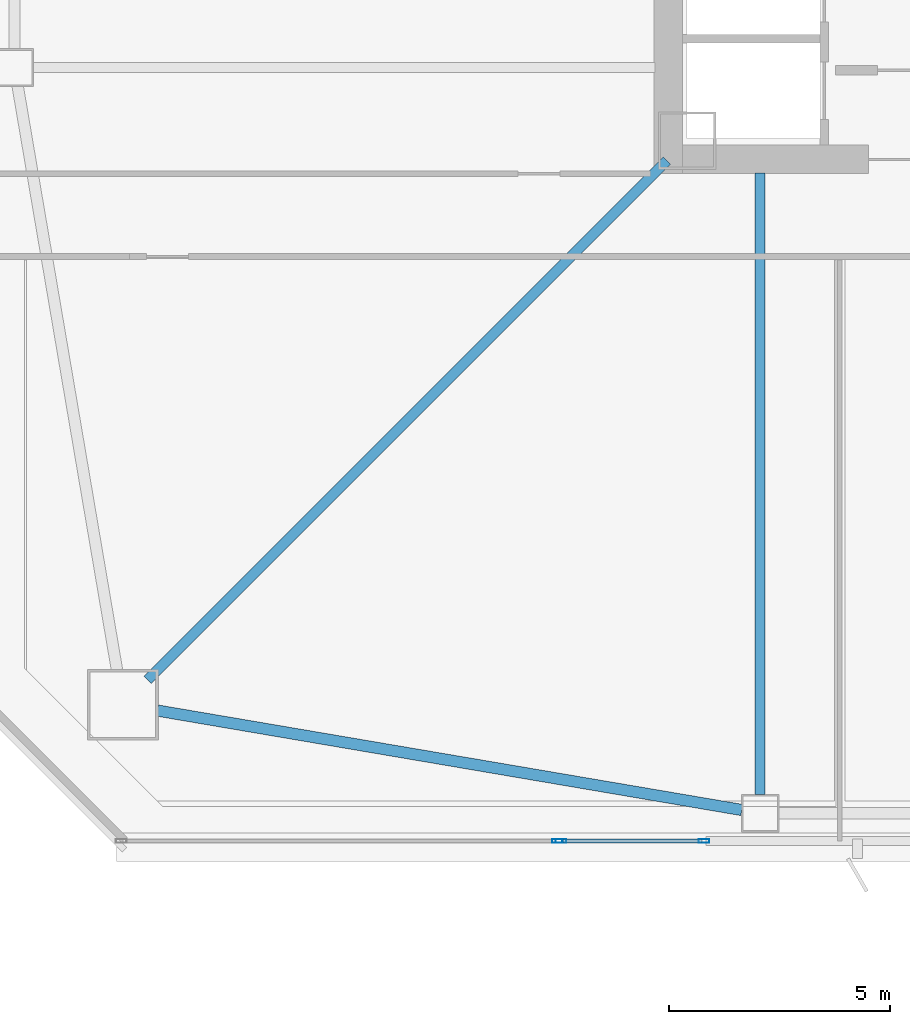
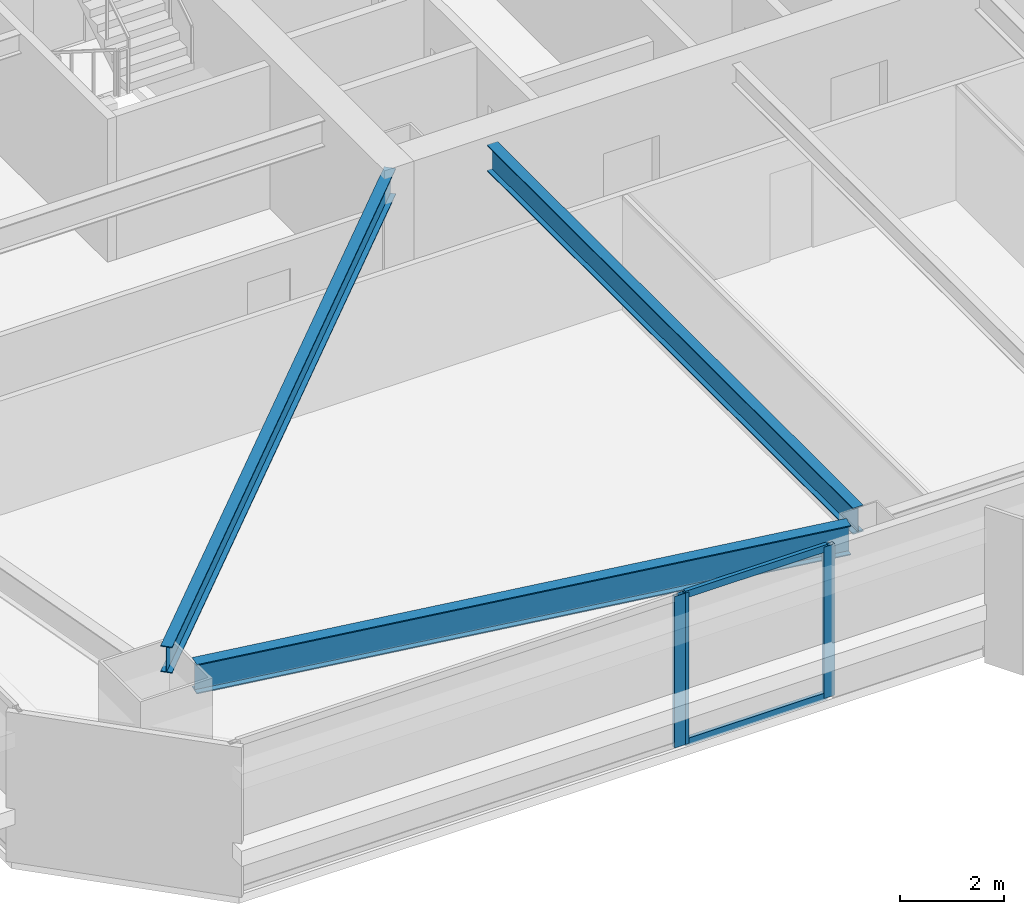
# One storey, part 4 of 62: 5 members, 3 beams, 2 elements without a shape of their own.
"""IFC4 building model written with IfcOpenShell, lengths in metres."""

from ifc_helpers import new_model, si_unit, direction, frame, origin, origin_2d, place, context, subcontext, project, spatial, hollow_rectangle, i_section, extrude, material, material_profile, profile_set, type_object, element, aggregate, save


model = new_model("IFC4")

# Units and contexts
model_context = context("Model", 3, precision=1e-05, world=origin(), true_north=direction((0.0, 1.0)))
body_context = subcontext(model_context, "Body", "Model", "MODEL_VIEW")
ifc_project = project(units=[si_unit("LENGTHUNIT", "METRE"), si_unit("AREAUNIT", "SQUARE_METRE"), si_unit("VOLUMEUNIT", "CUBIC_METRE"), si_unit("PLANEANGLEUNIT", "RADIAN"), si_unit("MASSUNIT", "GRAM", prefix="KILO")], contexts=[model_context])

# Site, building, storey
site_placement = place(None, origin())
site = spatial("IfcSite", under=ifc_project, at=site_placement, CompositionType="ELEMENT")
building_placement = place(site_placement, origin())
building = spatial("IfcBuilding", under=site, at=building_placement, Name="Tashvorn Skyway Center", CompositionType="ELEMENT")
storey_placement = place(building_placement, frame((0.0, 0.0, 28.14990234375)))
storey = spatial("IfcBuildingStorey", under=building, at=storey_placement, Name="L06", CompositionType="ELEMENT", Elevation=28.14990234375)

# Beams
ifc_material_1 = material(Name="Steel ASTM A992 Grade 50", Category="steel")
ifc_material_profile_1 = material_profile(ifc_material_1, i_section(OverallWidth=0.22998046875, OverallDepth=0.616943359375, WebThickness=0.01318359375, FlangeThickness=0.022216796875, at=origin_2d()), Name="W24X94")
ifc_profile_set_1 = profile_set([ifc_material_profile_1], Name="Steel ASTM A992 Grade 50")
beam_type_1 = type_object("IfcBeamType", Name="BM-BEAM-W24X94", PredefinedType="BEAM", material=ifc_profile_set_1)
beam_1_placement = place(storey_placement, frame((22.76220703125, 12.76220703125, 3.04150390625), z_axis=(0.707106781187, 0.707106781187, 0.0), x_axis=(-0.707106781187, 0.707106781187, 0.0)))
element("IfcBeam", 1, at=beam_1_placement, inside=storey, type_object=beam_type_1, Name="Tower 1 L06 Primary Floor Girder MC-SW", PredefinedType="BEAM", context=body_context, shape_type="SweptSolid", body=[
    extrude(i_section(OverallWidth=0.22998046875, OverallDepth=0.616943359375, WebThickness=0.01318359375, FlangeThickness=0.022216796875, at=origin_2d()), origin(), (0.0, 0.0, 1.0), 16.591064453125),
])
beam_2_placement = place(storey_placement, frame((36.60009765625, 10.169921875, 3.04150390625), z_axis=(0.0, 1.0, 0.0), x_axis=(-1.0, 0.0, 0.0)))
element("IfcBeam", 2, at=beam_2_placement, inside=storey, type_object=beam_type_1, Name="Tower 1 L06 Primary Floor Girder FC-S1", PredefinedType="BEAM", context=body_context, shape_type="SweptSolid", body=[
    extrude(i_section(OverallWidth=0.22998046875, OverallDepth=0.616943359375, WebThickness=0.01318359375, FlangeThickness=0.022216796875, at=origin_2d()), origin(), (0.0, 0.0, 1.0), 14.050048828125),
])
ifc_material_profile_2 = material_profile(ifc_material_1, i_section(OverallWidth=0.256103515625, OverallDepth=0.693115234375, WebThickness=0.014404296875, FlangeThickness=0.023681640625, at=origin_2d()), Name="W27X114")
ifc_profile_set_2 = profile_set([ifc_material_profile_2], Name="Steel ASTM A992 Grade 50")
beam_type_2 = type_object("IfcBeamType", Name="BM-SPANDREL-W27X114", PredefinedType="SPANDREL", material=ifc_profile_set_2)
beam_3_placement = place(storey_placement, frame((22.983642578125, 12.066650390625, 3.003662109375), z_axis=(0.985835025551, -0.16771792509, 0.0), x_axis=(0.16771792509, 0.985835025551, 0.0)))
element("IfcBeam", 3, at=beam_3_placement, inside=storey, type_object=beam_type_2, Name="Tower 1 L06 Spandrel Beam 01", PredefinedType="SPANDREL", context=body_context, shape_type="SweptSolid", body=[
    extrude(i_section(OverallWidth=0.256103515625, OverallDepth=0.693115234375, WebThickness=0.014404296875, FlangeThickness=0.023681640625, at=origin_2d()), origin(), (0.0, 0.0, 1.0), 13.39208984375),
])

# Curtain wall, members
ifc_material_2 = material(Name="Thermally broken bronze-anodized aluminium 6063-T6", Category="aluminium")
curtain_wall_type = type_object("IfcCurtainWallType", Name="CW-CW-Z1", PredefinedType="NOTDEFINED", material=ifc_material_2)
curtain_wall_1_placement = place(storey_placement, origin())
curtain_wall_1 = element("IfcCurtainWall", 4, at=curtain_wall_1_placement, inside=storey, type_object=curtain_wall_type, Name="Tower 1 L06 South Unitised Curtain Wall Glazing Group 3", PredefinedType="NOTDEFINED")
ifc_material_profile_3 = material_profile(ifc_material_2, hollow_rectangle(XDim=0.0849609375, YDim=0.239990234375, WallThickness=0.0048828125, at=origin_2d()), Name="ALU-MULL-85x240")
ifc_profile_set_3 = profile_set([ifc_material_profile_3], Name="Thermally broken bronze-anodized aluminium 6063-T6")
member_type_1 = type_object("IfcMemberType", Name="CWM-CW-Z1", PredefinedType="MULLION", material=ifc_profile_set_3)
member_1_placement = place(storey_placement, frame((35.330810546875, 9.1201171875, 0.0), z_axis=(0.0, 0.0, 1.0), x_axis=(0.0, -1.0, 0.0)))
member_1 = element("IfcMember", 5, at=member_1_placement, type_object=member_type_1, Name="CW-Z1 mullion 1", PredefinedType="MULLION", context=body_context, shape_type="SweptSolid", body=[
    extrude(hollow_rectangle(XDim=0.0849609375, YDim=0.239990234375, WallThickness=0.0048828125, at=origin_2d()), origin(), (0.0, 0.0, 1.0), 3.550048828125),
])
member_2_placement = place(storey_placement, frame((32.1025390625, 9.1201171875, 0.0), z_axis=(0.0, 0.0, 1.0), x_axis=(0.0, -1.0, 0.0)))
member_2 = element("IfcMember", 6, at=member_2_placement, type_object=member_type_1, Name="CW-Z1 mullion 2", PredefinedType="MULLION", context=body_context, shape_type="SweptSolid", body=[
    extrude(hollow_rectangle(XDim=0.0849609375, YDim=0.239990234375, WallThickness=0.0048828125, at=origin_2d()), origin(), (0.0, 0.0, 1.0), 3.550048828125),
])

# Curtain wall, member
curtain_wall_2_placement = place(storey_placement, origin())
curtain_wall_2 = element("IfcCurtainWall", 7, at=curtain_wall_2_placement, inside=storey, type_object=curtain_wall_type, Name="Tower 1 L06 South Unitised Curtain Wall Glazing Group 4", PredefinedType="NOTDEFINED")
member_3_placement = place(storey_placement, frame((32.017578125, 9.1201171875, 0.0), z_axis=(0.0, 0.0, 1.0), x_axis=(0.0, -1.0, 0.0)))
member_3 = element("IfcMember", 8, at=member_3_placement, type_object=member_type_1, Name="CW-Z1 mullion 1", PredefinedType="MULLION", context=body_context, shape_type="SweptSolid", body=[
    extrude(hollow_rectangle(XDim=0.0849609375, YDim=0.239990234375, WallThickness=0.0048828125, at=origin_2d()), origin(), (0.0, 0.0, 1.0), 3.550048828125),
])
aggregate(curtain_wall_2, [member_3])

# Member
ifc_material_profile_4 = material_profile(ifc_material_2, hollow_rectangle(XDim=0.0849609375, YDim=0.1650390625, WallThickness=0.0048828125, at=origin_2d()), Name="ALU-TRAN-85x165")
ifc_profile_set_4 = profile_set([ifc_material_profile_4], Name="Thermally broken bronze-anodized aluminium 6063-T6")
member_type_2 = type_object("IfcMemberType", Name="CWT-CW-Z1", PredefinedType="USERDEFINED", material=ifc_profile_set_4)
member_4_placement = place(storey_placement, frame((35.288330078125, 9.1201171875, 0.04248046875), z_axis=(-1.0, 0.0, 0.0), x_axis=(0.0, -1.0, 0.0)))
member_4 = element("IfcMember", 9, at=member_4_placement, type_object=member_type_2, Name="CW-Z1 transom 1.1", ObjectType="TRANSOM", PredefinedType="USERDEFINED", context=body_context, shape_type="SweptSolid", body=[
    extrude(hollow_rectangle(XDim=0.0849609375, YDim=0.1650390625, WallThickness=0.0048828125, at=origin_2d()), origin(), (0.0, 0.0, 1.0), 3.143310546875),
])

member_5_placement = place(storey_placement, frame((35.288330078125, 9.1201171875, 3.507568359375), z_axis=(-1.0, 0.0, 0.0), x_axis=(0.0, -1.0, 0.0)))
member_5 = element("IfcMember", 10, at=member_5_placement, type_object=member_type_2, Name="CW-Z1 transom 1.2", ObjectType="TRANSOM", PredefinedType="USERDEFINED", context=body_context, shape_type="SweptSolid", body=[
    extrude(hollow_rectangle(XDim=0.0849609375, YDim=0.1650390625, WallThickness=0.0048828125, at=origin_2d()), origin(), (0.0, 0.0, 1.0), 3.143310546875),
])

aggregate(curtain_wall_1, [member_1, member_2, member_4, member_5])

save(model, "model.ifc")
